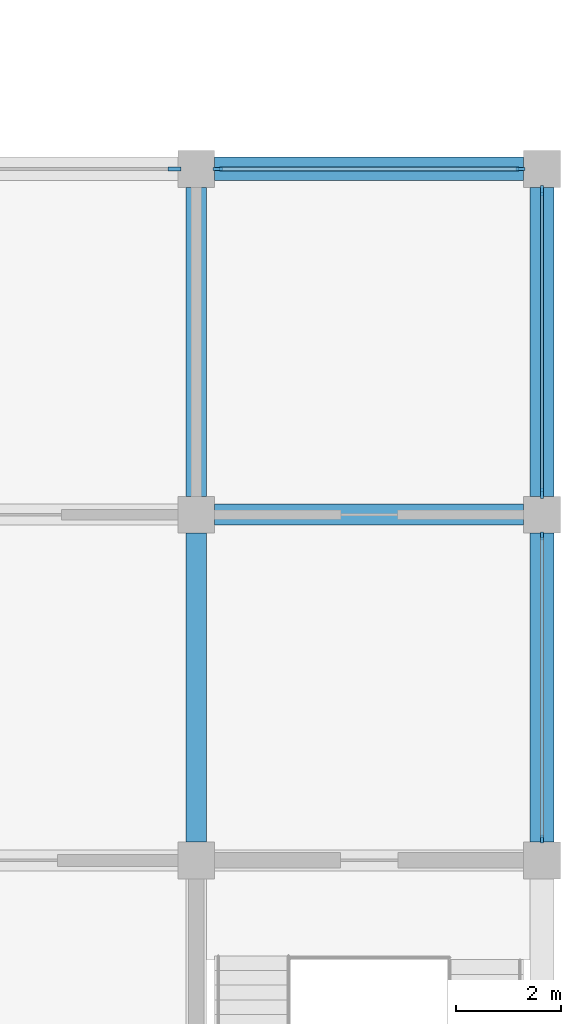
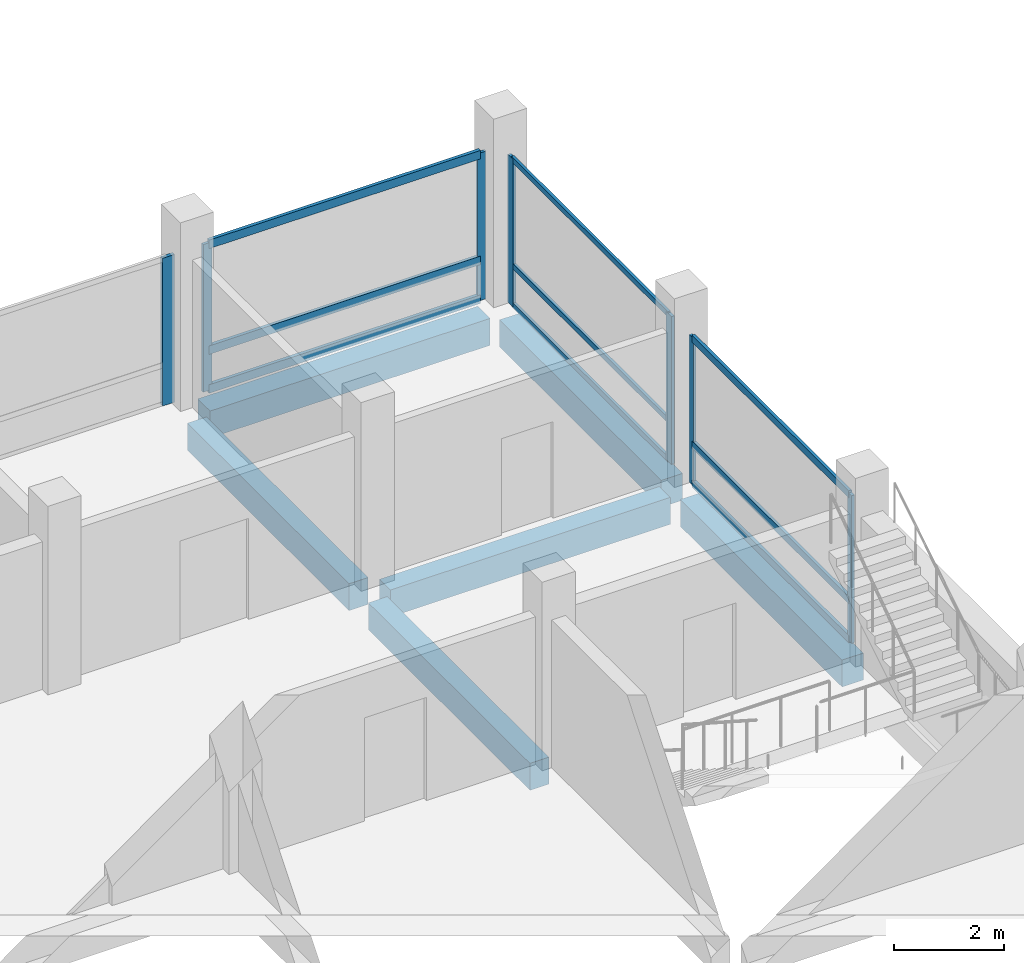
# One storey, part 3 of 10: 16 members, 6 beams, 4 elements without a shape of their own.
"""IFC4 building model written with IfcOpenShell, lengths in metres."""

import ifcopenshell
import ifcopenshell.guid

model = None  # the IFC model being written
_history = None  # IfcOwnerHistory: only IFC2X3 demands one
_inside = {}  # id of a spatial element -> (the spatial element, [elements in it])
_under = {}  # id of a project, library or spatial element -> (it, [spatial elements below it])
_declared = {}  # id of a project -> (the project, [libraries it declares])
_typed = {}  # id of a type object -> (the type object, [elements of that type])
_made_of = {}  # id of a material, layer set ... -> (it, [elements and type objects made of it])


def new_model(schema):
    """Start an empty IFC model of exactly this schema.

    Asked for "IFC4X3", IfcOpenShell would pick the latest addendum, in which some entities
    have other attributes; the version numbers below select the first issue.
    IFC2X3 requires an IfcOwnerHistory on every rooted entity: one is made here for all.
    """
    global model, _history
    if schema == "IFC4X3":
        model = ifcopenshell.file(schema_version=(4, 3, 0, 0))
    else:
        model = ifcopenshell.file(schema=schema)
    _inside.clear()
    _under.clear()
    _declared.clear()
    _typed.clear()
    _made_of.clear()
    _history = None
    if model.schema == "IFC2X3":
        org = make("IfcOrganization", Name="unknown")
        user = make(
            "IfcPersonAndOrganization",
            ThePerson=make("IfcPerson", FamilyName="unknown"),
            TheOrganization=org,
        )
        app = make(
            "IfcApplication",
            ApplicationDeveloper=org,
            Version="unknown",
            ApplicationFullName="unknown",
            ApplicationIdentifier="unknown",
        )
        _history = make(
            "IfcOwnerHistory",
            OwningUser=user,
            OwningApplication=app,
            ChangeAction="ADDED",
            CreationDate=0,
        )
    return model


def make(cls, **values):
    """One entity of the class cls with the attributes given. An attribute that is None is left unset."""
    return model.create_entity(
        cls, **{name: value for name, value in values.items() if value is not None}
    )


def rooted(cls, **values):
    """An entity with a GlobalId (a new one), such as an element, a storey or a relation."""
    return make(cls, GlobalId=ifcopenshell.guid.new(), OwnerHistory=_history, **values)


def si_unit(unit_type, name, prefix=None):
    """IfcSIUnit, for example si_unit("LENGTHUNIT", "METRE", prefix="MILLI")."""
    return make("IfcSIUnit", UnitType=unit_type, Prefix=prefix, Name=name)


def assignment(units):
    """IfcUnitAssignment: the units of a project."""
    return None if units is None else make("IfcUnitAssignment", Units=units)


def point(xyz):
    """IfcCartesianPoint."""
    return None if xyz is None else make("IfcCartesianPoint", Coordinates=xyz)


def direction(xyz):
    """IfcDirection."""
    return None if xyz is None else make("IfcDirection", DirectionRatios=xyz)


def frame(location, z_axis=None, x_axis=None):
    """IfcAxis2Placement3D, a coordinate frame: its origin and axes. An axis left out is left unset."""
    return make(
        "IfcAxis2Placement3D",
        Location=point(location),
        Axis=direction(z_axis),
        RefDirection=direction(x_axis),
    )


def frame_2d(location, x_axis=None):
    """IfcAxis2Placement2D, a coordinate frame in the plane: its origin and x axis."""
    return make(
        "IfcAxis2Placement2D", Location=point(location), RefDirection=direction(x_axis)
    )


def origin():
    """The frame at (0, 0, 0) with its axes left unset."""
    return frame((0.0, 0.0, 0.0))


def origin_2d():
    """The frame at (0, 0) in the plane with its x axis left unset."""
    return frame_2d((0.0, 0.0))


def place(relative_to, where):
    """IfcLocalPlacement: puts the frame where relative to a parent placement (None: the world)."""
    return make(
        "IfcLocalPlacement", PlacementRelTo=relative_to, RelativePlacement=where
    )


def context(
    kind, dimensions, precision=None, world=None, true_north=None, identifier=None
):
    """IfcGeometricRepresentationContext, for example the 3D "Model" context."""
    return make(
        "IfcGeometricRepresentationContext",
        ContextIdentifier=identifier,
        ContextType=kind,
        CoordinateSpaceDimension=dimensions,
        Precision=precision,
        WorldCoordinateSystem=world,
        TrueNorth=true_north,
    )


def subcontext(parent, identifier, kind, view, scale=None):
    """IfcGeometricRepresentationSubContext, for example "Body" below "Model"."""
    return make(
        "IfcGeometricRepresentationSubContext",
        ContextIdentifier=identifier,
        ContextType=kind,
        ParentContext=parent,
        TargetScale=scale,
        TargetView=view,
    )


def project(units=None, contexts=None):
    """IfcProject with its units and contexts."""
    return rooted(
        "IfcProject",
        Name="project",
        RepresentationContexts=contexts,
        UnitsInContext=assignment(units),
    )


def spatial(cls, under=None, at=None, **own):
    """A site, building, storey or space (cls), placed at a placement, below another one or the project."""
    s = rooted(cls, ObjectPlacement=at, **own)
    if under is not None:
        _under.setdefault(under.id(), (under, []))[1].append(s)
    return s


def profile(cls, at=None, kind="AREA", **sizes):
    """A parametric profile (cls). Its sizes go by their IFC names, for example OverallWidth=200.0."""
    return make(cls, ProfileType=kind, Position=at, **sizes)


def rectangle(**sizes):
    """IfcRectangleProfileDef."""
    return profile("IfcRectangleProfileDef", **sizes)


def extrude(swept, where, along, depth):
    """IfcExtrudedAreaSolid: the profile swept, set in the frame where, extruded along a direction by depth."""
    return make(
        "IfcExtrudedAreaSolid",
        SweptArea=swept,
        Position=where,
        ExtrudedDirection=direction(along),
        Depth=depth,
    )


def shape(context_of_items, identifier, shape_type, items):
    """IfcShapeRepresentation: the items that make up one representation, for example the "Body"."""
    return make(
        "IfcShapeRepresentation",
        ContextOfItems=context_of_items,
        RepresentationIdentifier=identifier,
        RepresentationType=shape_type,
        Items=items,
    )


def material(Name=None, Category=None):
    """IfcMaterial."""
    return make("IfcMaterial", Name=Name, Category=Category)


def material_profile(
    of_material, cross_section, Name=None, Category=None, Priority=None
):
    """IfcMaterialProfile: a cross section and its material."""
    return make(
        "IfcMaterialProfile",
        Name=Name,
        Material=of_material,
        Profile=cross_section,
        Priority=Priority,
        Category=Category,
    )


def profile_set(profiles, Name=None, composite=None):
    """IfcMaterialProfileSet."""
    return make(
        "IfcMaterialProfileSet",
        Name=Name,
        MaterialProfiles=profiles,
        CompositeProfile=composite,
    )


def made_of(thing, what):
    """Note that an element or type object is made of a material, layer set ...; save() writes the relation."""
    if what is not None:
        _made_of.setdefault(what.id(), (what, []))[1].append(thing)
    return thing


def type_object(cls, material=None, **own):
    """A type object (cls), such as IfcWallType, which elements share."""
    return made_of(rooted(cls, **own), material)


def element(
    cls,
    number,
    at=None,
    inside=None,
    cuts=None,
    type_object=None,
    material=None,
    context=None,
    identifier="Body",
    shape_type=None,
    held_by="IfcProductDefinitionShape",
    body=None,
    shapes=None,
    **own,
):
    """One element of the class cls, such as IfcWall. Its Tag is "e" and its number.

    at: its placement. inside: the storey or other place that contains it. cuts: it is an
    opening in that element (IfcRelVoidsElement). A single representation is given by context,
    identifier, shape_type and body (its items); several are given by shapes. held_by: the class
    of the entity that holds the representations. save() writes the other relations.
    """
    e = rooted(cls, Tag="e%d" % number, ObjectPlacement=at, **own)
    if body is not None:
        shapes = [shape(context, identifier, shape_type, body)]
    if shapes is not None:
        e.Representation = make(held_by, Representations=shapes)
    if inside is not None:
        _inside.setdefault(inside.id(), (inside, []))[1].append(e)
    if cuts is not None:
        rooted(
            "IfcRelVoidsElement", RelatingBuildingElement=cuts, RelatedOpeningElement=e
        )
    if type_object is not None:
        _typed.setdefault(type_object.id(), (type_object, []))[1].append(e)
    return made_of(e, material)


def aggregate(whole, parts):
    """IfcRelAggregates: a whole, such as a stair, and the parts it consists of."""
    return rooted("IfcRelAggregates", RelatingObject=whole, RelatedObjects=parts)


def save(model, path):
    """Write the relations noted so far, then the file.

    IfcRelAggregates (storeys below a building ...), IfcRelContainedInSpatialStructure (elements
    in a storey), IfcRelDefinesByType, IfcRelAssociatesMaterial and IfcRelDeclares: one each for
    every whole, place, type object, material and project.
    """
    for whole, parts in _under.values():
        aggregate(whole, parts)
    for where, things in _inside.values():
        rooted(
            "IfcRelContainedInSpatialStructure",
            RelatedElements=things,
            RelatingStructure=where,
        )
    for kind, things in _typed.values():
        rooted("IfcRelDefinesByType", RelatedObjects=things, RelatingType=kind)
    for what, things in _made_of.values():
        rooted("IfcRelAssociatesMaterial", RelatedObjects=things, RelatingMaterial=what)
    for by, libraries in _declared.values():
        rooted("IfcRelDeclares", RelatingContext=by, RelatedDefinitions=libraries)
    model.write(path)


model = new_model("IFC4")

# Units and contexts
model_context = context("Model", 3, precision=1e-05, world=origin(), true_north=direction((0.0, 1.0)))
body_context = subcontext(model_context, "Body", "Model", "MODEL_VIEW")
ifc_project = project(units=[si_unit("LENGTHUNIT", "METRE"), si_unit("AREAUNIT", "SQUARE_METRE"), si_unit("VOLUMEUNIT", "CUBIC_METRE"), si_unit("PLANEANGLEUNIT", "RADIAN"), si_unit("MASSUNIT", "GRAM", prefix="KILO")], contexts=[model_context])

# Site, building, storey
site_placement = place(None, origin())
site = spatial("IfcSite", under=ifc_project, at=site_placement, CompositionType="ELEMENT")
building_placement = place(site_placement, origin())
building = spatial("IfcBuilding", under=site, at=building_placement, Name="Rusizi Kubbe Research Institute", CompositionType="ELEMENT")
storey_placement = place(building_placement, frame((0.0, 0.0, 48.0)))
storey = spatial("IfcBuildingStorey", under=building, at=storey_placement, Name="L11", CompositionType="ELEMENT", Elevation=48.0)

# Beams
ifc_material_1 = material(Name="Concrete C40/50", Category="concrete")
ifc_material_profile_1 = material_profile(ifc_material_1, rectangle(XDim=0.39990234375, YDim=0.60009765625, at=origin_2d()), Name="RC400x600")
ifc_profile_set_1 = profile_set([ifc_material_profile_1], Name="Concrete C40/50")
beam_type_1 = type_object("IfcBeamType", Name="BM-RC400x600", PredefinedType="BEAM", material=ifc_profile_set_1)
for number, where, z_axis, x_axis, name in (
    (1, (33.35009765625, 19.800048828125, -0.610107421875), (1.0, 0.0, 0.0), (0.0, 1.0, 0.0), "Grid Beam H L11 (5,3)"),
    (2, (33.0, 13.550048828125, -0.610107421875), (0.0, 1.0, 0.0), (-1.0, 0.0, 0.0), "Grid Beam V L11 (5,2)"),
):
    element("IfcBeam", number, at=place(storey_placement, frame(where, z_axis=z_axis, x_axis=x_axis)), inside=storey, type_object=beam_type_1, Name=name, PredefinedType="BEAM", context=body_context, shape_type="SweptSolid", body=[
        extrude(rectangle(XDim=0.39990234375, YDim=0.60009765625, at=origin_2d()), origin(), (0.0, 0.0, 1.0), 5.89990234375),
    ])
beam_1_placement = place(storey_placement, frame((33.0, 20.14990234375, -0.610107421875), z_axis=(0.0, 1.0, 0.0), x_axis=(-1.0, 0.0, 0.0)))
element("IfcBeam", 3, at=beam_1_placement, inside=storey, type_object=beam_type_1, Name="Grid Beam V L11 (5,3)", PredefinedType="BEAM", context=body_context, shape_type="SweptSolid", body=[
    extrude(rectangle(XDim=0.39990234375, YDim=0.60009765625, at=origin_2d()), origin(), (0.0, 0.0, 1.0), 5.900146484375),
])
ifc_material_2 = material(Name="Concrete C40/50", Category="concrete")
ifc_material_profile_2 = material_profile(ifc_material_2, rectangle(XDim=0.449951171875, YDim=0.60009765625, at=origin_2d()), Name="RC450x600")
ifc_profile_set_2 = profile_set([ifc_material_profile_2], Name="Concrete C40/50")
beam_type_2 = type_object("IfcBeamType", Name="BM-RC450x600", PredefinedType="SPANDREL", material=ifc_profile_set_2)
for number, where, z_axis, x_axis, name in (
    (4, (33.35009765625, 26.39990234375, -0.610107421875), (1.0, 0.0, 0.0), (0.0, 1.0, 0.0), "Grid Beam H L11 (5,4)"),
    (5, (39.60009765625, 13.550048828125, -0.610107421875), (0.0, 1.0, 0.0), (-1.0, 0.0, 0.0), "Grid Beam V L11 (6,2)"),
):
    element("IfcBeam", number, at=place(storey_placement, frame(where, z_axis=z_axis, x_axis=x_axis)), inside=storey, type_object=beam_type_2, Name=name, PredefinedType="SPANDREL", context=body_context, shape_type="SweptSolid", body=[
        extrude(rectangle(XDim=0.449951171875, YDim=0.60009765625, at=origin_2d()), origin(), (0.0, 0.0, 1.0), 5.89990234375),
    ])
beam_2_placement = place(storey_placement, frame((39.60009765625, 20.14990234375, -0.610107421875), z_axis=(0.0, 1.0, 0.0), x_axis=(-1.0, 0.0, 0.0)))
element("IfcBeam", 6, at=beam_2_placement, inside=storey, type_object=beam_type_2, Name="Grid Beam V L11 (6,3)", PredefinedType="SPANDREL", context=body_context, shape_type="SweptSolid", body=[
    extrude(rectangle(XDim=0.449951171875, YDim=0.60009765625, at=origin_2d()), origin(), (0.0, 0.0, 1.0), 5.900146484375),
])

# Curtain wall, members
ifc_material_3 = material(Name="Thermally Broken Aluminium and Low-E Glazing", Category="aluminium")
curtain_wall_type_1 = type_object("IfcCurtainWallType", Name="CW-13", PredefinedType="NOTDEFINED", material=ifc_material_3)
curtain_wall_1_placement = place(storey_placement, origin())
curtain_wall_1 = element("IfcCurtainWall", 7, at=curtain_wall_1_placement, inside=storey, type_object=curtain_wall_type_1, Name="Unitised Facade Curtain Wall CW-L11-V-06-02", PredefinedType="NOTDEFINED")
ifc_material_4 = material(Name="Aluminium Alloy 6063-T6", Category="aluminium")
ifc_material_profile_3 = material_profile(ifc_material_4, rectangle(XDim=0.06005859375, YDim=0.14990234375, at=origin_2d()), Name="ALU-M 60x150")
ifc_profile_set_3 = profile_set([ifc_material_profile_3], Name="Aluminium Alloy 6063-T6")
member_type_1 = type_object("IfcMemberType", Name="ML-01", PredefinedType="MULLION", material=ifc_profile_set_3)
member_1_placement = place(storey_placement, frame((39.60009765625, 13.610107421875, 0.0), z_axis=(0.0, 0.0, 1.0), x_axis=(-1.0, 0.0, 0.0)))
member_1 = element("IfcMember", 8, at=member_1_placement, type_object=member_type_1, Name="CW-13 mullion 1", PredefinedType="MULLION", context=body_context, shape_type="SweptSolid", body=[
    extrude(rectangle(XDim=0.06005859375, YDim=0.14990234375, at=origin_2d()), origin(), (0.0, 0.0, 1.0), 3.2900390625),
])
member_2_placement = place(storey_placement, frame((39.60009765625, 19.389892578125, 0.0), z_axis=(0.0, 0.0, 1.0), x_axis=(-1.0, 0.0, 0.0)))
member_2 = element("IfcMember", 9, at=member_2_placement, type_object=member_type_1, Name="CW-13 mullion 2", PredefinedType="MULLION", context=body_context, shape_type="SweptSolid", body=[
    extrude(rectangle(XDim=0.06005859375, YDim=0.14990234375, at=origin_2d()), origin(), (0.0, 0.0, 1.0), 3.2900390625),
])

ifc_material_5 = material(Name="Thermally Broken Aluminium and Low-E Glazing", Category="aluminium")
curtain_wall_type_2 = type_object("IfcCurtainWallType", Name="CW-12", PredefinedType="NOTDEFINED", material=ifc_material_5)
curtain_wall_2_placement = place(storey_placement, origin())
curtain_wall_2 = element("IfcCurtainWall", 10, at=curtain_wall_2_placement, inside=storey, type_object=curtain_wall_type_2, Name="Unitised Facade Curtain Wall CW-L11-H-05-04", PredefinedType="NOTDEFINED")
ifc_material_6 = material(Name="Aluminium Alloy 6063-T6", Category="aluminium")
ifc_material_profile_4 = material_profile(ifc_material_6, rectangle(XDim=0.06005859375, YDim=0.179931640625, at=origin_2d()), Name="ALU-M 60x180")
ifc_profile_set_4 = profile_set([ifc_material_profile_4], Name="Aluminium Alloy 6063-T6")
member_type_2 = type_object("IfcMemberType", Name="ML-02", PredefinedType="MULLION", material=ifc_profile_set_4)
member_3_placement = place(storey_placement, frame((33.409912109375, 26.39990234375, 0.0), z_axis=(0.0, 0.0, 1.0), x_axis=(0.0, 1.0, 0.0)))
member_3 = element("IfcMember", 11, at=member_3_placement, type_object=member_type_2, Name="CW-12 mullion 1", PredefinedType="MULLION", context=body_context, shape_type="SweptSolid", body=[
    extrude(rectangle(XDim=0.06005859375, YDim=0.179931640625, at=origin_2d()), origin(), (0.0, 0.0, 1.0), 3.2900390625),
])
member_4_placement = place(storey_placement, frame((39.18994140625, 26.39990234375, 0.0), z_axis=(0.0, 0.0, 1.0), x_axis=(0.0, 1.0, 0.0)))
member_4 = element("IfcMember", 12, at=member_4_placement, type_object=member_type_2, Name="CW-12 mullion 2", PredefinedType="MULLION", context=body_context, shape_type="SweptSolid", body=[
    extrude(rectangle(XDim=0.06005859375, YDim=0.179931640625, at=origin_2d()), origin(), (0.0, 0.0, 1.0), 3.2900390625),
])

curtain_wall_3_placement = place(storey_placement, origin())
curtain_wall_3 = element("IfcCurtainWall", 13, at=curtain_wall_3_placement, inside=storey, type_object=curtain_wall_type_1, Name="Unitised Facade Curtain Wall CW-L11-V-06-03", PredefinedType="NOTDEFINED")
ifc_material_7 = material(Name="Aluminium Alloy 6063-T6", Category="aluminium")
ifc_material_profile_5 = material_profile(ifc_material_7, rectangle(XDim=0.06494140625, YDim=0.199951171875, at=origin_2d()), Name="ALU-M 65x200")
ifc_profile_set_5 = profile_set([ifc_material_profile_5], Name="Aluminium Alloy 6063-T6")
member_type_3 = type_object("IfcMemberType", Name="ML-03", PredefinedType="MULLION", material=ifc_profile_set_5)
member_5_placement = place(storey_placement, frame((39.60009765625, 20.21240234375, 0.0), z_axis=(0.0, 0.0, 1.0), x_axis=(-1.0, 0.0, 0.0)))
member_5 = element("IfcMember", 14, at=member_5_placement, type_object=member_type_3, Name="CW-13 mullion 1", PredefinedType="MULLION", context=body_context, shape_type="SweptSolid", body=[
    extrude(rectangle(XDim=0.06494140625, YDim=0.199951171875, at=origin_2d()), origin(), (0.0, 0.0, 1.0), 3.2900390625),
])
member_6_placement = place(storey_placement, frame((39.60009765625, 25.987548828125, 0.0), z_axis=(0.0, 0.0, 1.0), x_axis=(-1.0, 0.0, 0.0)))
member_6 = element("IfcMember", 15, at=member_6_placement, type_object=member_type_3, Name="CW-13 mullion 2", PredefinedType="MULLION", context=body_context, shape_type="SweptSolid", body=[
    extrude(rectangle(XDim=0.06494140625, YDim=0.199951171875, at=origin_2d()), origin(), (0.0, 0.0, 1.0), 3.2900390625),
])

# Curtain wall, member
curtain_wall_4_placement = place(storey_placement, origin())
curtain_wall_4 = element("IfcCurtainWall", 16, at=curtain_wall_4_placement, inside=storey, type_object=curtain_wall_type_1, Name="Unitised Facade Curtain Wall CW-L11-H-04-04", PredefinedType="NOTDEFINED")
ifc_material_8 = material(Name="Aluminium Alloy 6063-T6", Category="aluminium")
ifc_material_profile_6 = material_profile(ifc_material_8, rectangle(XDim=0.074951171875, YDim=0.25, at=origin_2d()), Name="ALU-M 75x250")
ifc_profile_set_6 = profile_set([ifc_material_profile_6], Name="Aluminium Alloy 6063-T6")
member_type_4 = type_object("IfcMemberType", Name="ML-05", PredefinedType="MULLION", material=ifc_profile_set_6)
member_7_placement = place(storey_placement, frame((32.58251953125, 26.39990234375, 0.0), z_axis=(0.0, 0.0, 1.0), x_axis=(0.0, 1.0, 0.0)))
member_7 = element("IfcMember", 17, at=member_7_placement, type_object=member_type_4, Name="CW-13 mullion 2", PredefinedType="MULLION", context=body_context, shape_type="SweptSolid", body=[
    extrude(rectangle(XDim=0.074951171875, YDim=0.25, at=origin_2d()), origin(), (0.0, 0.0, 1.0), 3.2900390625),
])
aggregate(curtain_wall_4, [member_7])

# Member
ifc_material_9 = material(Name="Aluminium Alloy 6063-T6", Category="aluminium")
ifc_material_profile_7 = material_profile(ifc_material_9, rectangle(XDim=0.06005859375, YDim=0.1201171875, at=origin_2d()), Name="ALU-T 60x120")
ifc_profile_set_7 = profile_set([ifc_material_profile_7], Name="Aluminium Alloy 6063-T6")
member_type_5 = type_object("IfcMemberType", Name="TR-01", PredefinedType="USERDEFINED", material=ifc_profile_set_7)
member_8_placement = place(storey_placement, frame((39.60009765625, 20.2451171875, 0.030029296875), z_axis=(0.0, 1.0, 0.0), x_axis=(-1.0, 0.0, 0.0)))
member_8 = element("IfcMember", 18, at=member_8_placement, type_object=member_type_5, Name="CW-13 transom 1.1", ObjectType="TRANSOM", PredefinedType="USERDEFINED", context=body_context, shape_type="SweptSolid", body=[
    extrude(rectangle(XDim=0.06005859375, YDim=0.1201171875, at=origin_2d()), origin(), (0.0, 0.0, 1.0), 5.7099609375),
])

member_9_placement = place(storey_placement, frame((39.60009765625, 20.2451171875, 0.89990234375), z_axis=(0.0, 1.0, 0.0), x_axis=(-1.0, 0.0, 0.0)))
member_9 = element("IfcMember", 19, at=member_9_placement, type_object=member_type_5, Name="CW-13 transom 1.2", ObjectType="TRANSOM", PredefinedType="USERDEFINED", context=body_context, shape_type="SweptSolid", body=[
    extrude(rectangle(XDim=0.06005859375, YDim=0.1201171875, at=origin_2d()), origin(), (0.0, 0.0, 1.0), 5.7099609375),
])

member_10_placement = place(storey_placement, frame((39.60009765625, 20.2451171875, 3.260009765625), z_axis=(0.0, 1.0, 0.0), x_axis=(-1.0, 0.0, 0.0)))
member_10 = element("IfcMember", 20, at=member_10_placement, type_object=member_type_5, Name="CW-13 transom 1.3", ObjectType="TRANSOM", PredefinedType="USERDEFINED", context=body_context, shape_type="SweptSolid", body=[
    extrude(rectangle(XDim=0.06005859375, YDim=0.1201171875, at=origin_2d()), origin(), (0.0, 0.0, 1.0), 5.7099609375),
])

aggregate(curtain_wall_3, [member_5, member_6, member_8, member_9, member_10])

ifc_material_10 = material(Name="Aluminium Alloy 6063-T6", Category="aluminium")
ifc_material_profile_8 = material_profile(ifc_material_10, rectangle(XDim=0.06494140625, YDim=0.159912109375, at=origin_2d()), Name="ALU-T 65x160")
ifc_profile_set_8 = profile_set([ifc_material_profile_8], Name="Aluminium Alloy 6063-T6")
member_type_6 = type_object("IfcMemberType", Name="TR-03", PredefinedType="USERDEFINED", material=ifc_profile_set_8)
member_11_placement = place(storey_placement, frame((39.60009765625, 13.639892578125, 0.032470703125), z_axis=(0.0, 1.0, 0.0), x_axis=(-1.0, 0.0, 0.0)))
member_11 = element("IfcMember", 21, at=member_11_placement, type_object=member_type_6, Name="CW-13 transom 1.1", ObjectType="TRANSOM", PredefinedType="USERDEFINED", context=body_context, shape_type="SweptSolid", body=[
    extrude(rectangle(XDim=0.06494140625, YDim=0.159912109375, at=origin_2d()), origin(), (0.0, 0.0, 1.0), 5.72021484375),
])

member_12_placement = place(storey_placement, frame((39.60009765625, 13.639892578125, 0.89990234375), z_axis=(0.0, 1.0, 0.0), x_axis=(-1.0, 0.0, 0.0)))
member_12 = element("IfcMember", 22, at=member_12_placement, type_object=member_type_6, Name="CW-13 transom 1.2", ObjectType="TRANSOM", PredefinedType="USERDEFINED", context=body_context, shape_type="SweptSolid", body=[
    extrude(rectangle(XDim=0.06494140625, YDim=0.159912109375, at=origin_2d()), origin(), (0.0, 0.0, 1.0), 5.72021484375),
])

member_13_placement = place(storey_placement, frame((39.60009765625, 13.639892578125, 3.257568359375), z_axis=(0.0, 1.0, 0.0), x_axis=(-1.0, 0.0, 0.0)))
member_13 = element("IfcMember", 23, at=member_13_placement, type_object=member_type_6, Name="CW-13 transom 1.3", ObjectType="TRANSOM", PredefinedType="USERDEFINED", context=body_context, shape_type="SweptSolid", body=[
    extrude(rectangle(XDim=0.06494140625, YDim=0.159912109375, at=origin_2d()), origin(), (0.0, 0.0, 1.0), 5.72021484375),
])

aggregate(curtain_wall_1, [member_1, member_2, member_11, member_12, member_13])

ifc_material_11 = material(Name="Aluminium Alloy 6063-T6", Category="aluminium")
ifc_material_profile_9 = material_profile(ifc_material_11, rectangle(XDim=0.070068359375, YDim=0.18994140625, at=origin_2d()), Name="ALU-T 70x190")
ifc_profile_set_9 = profile_set([ifc_material_profile_9], Name="Aluminium Alloy 6063-T6")
member_type_7 = type_object("IfcMemberType", Name="TR-04", PredefinedType="USERDEFINED", material=ifc_profile_set_9)
member_14_placement = place(storey_placement, frame((33.43994140625, 26.39990234375, 0.034912109375), z_axis=(1.0, 0.0, 0.0), x_axis=(0.0, 1.0, 0.0)))
member_14 = element("IfcMember", 24, at=member_14_placement, type_object=member_type_7, Name="CW-12 transom 1.1", ObjectType="TRANSOM", PredefinedType="USERDEFINED", context=body_context, shape_type="SweptSolid", body=[
    extrude(rectangle(XDim=0.070068359375, YDim=0.18994140625, at=origin_2d()), origin(), (0.0, 0.0, 1.0), 5.719970703125),
])

member_15_placement = place(storey_placement, frame((33.43994140625, 26.39990234375, 0.89990234375), z_axis=(1.0, 0.0, 0.0), x_axis=(0.0, 1.0, 0.0)))
member_15 = element("IfcMember", 25, at=member_15_placement, type_object=member_type_7, Name="CW-12 transom 1.2", ObjectType="TRANSOM", PredefinedType="USERDEFINED", context=body_context, shape_type="SweptSolid", body=[
    extrude(rectangle(XDim=0.070068359375, YDim=0.18994140625, at=origin_2d()), origin(), (0.0, 0.0, 1.0), 5.719970703125),
])

member_16_placement = place(storey_placement, frame((33.43994140625, 26.39990234375, 3.2548828125), z_axis=(1.0, 0.0, 0.0), x_axis=(0.0, 1.0, 0.0)))
member_16 = element("IfcMember", 26, at=member_16_placement, type_object=member_type_7, Name="CW-12 transom 1.3", ObjectType="TRANSOM", PredefinedType="USERDEFINED", context=body_context, shape_type="SweptSolid", body=[
    extrude(rectangle(XDim=0.070068359375, YDim=0.18994140625, at=origin_2d()), origin(), (0.0, 0.0, 1.0), 5.719970703125),
])

aggregate(curtain_wall_2, [member_3, member_4, member_14, member_15, member_16])

save(model, "model.ifc")
